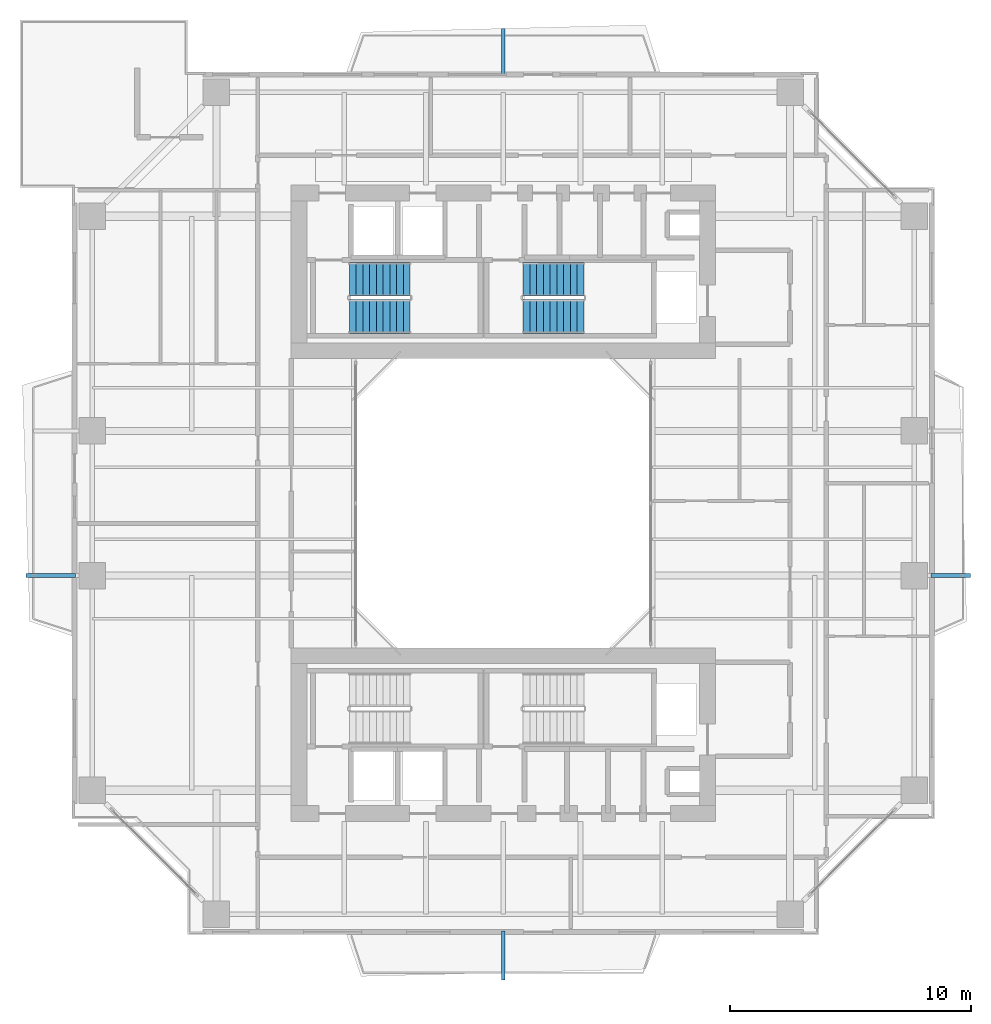
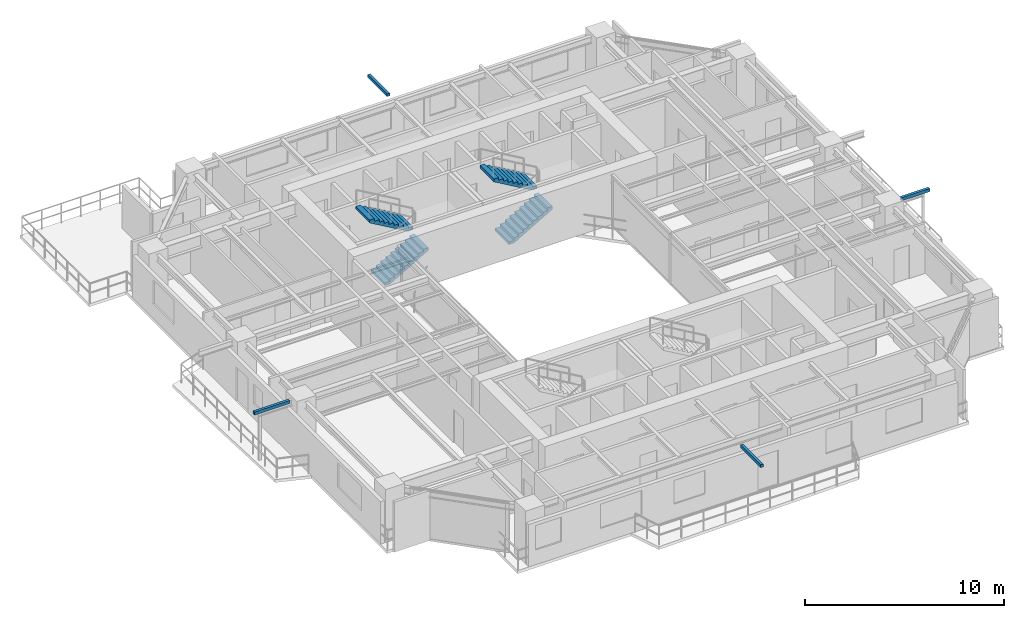
# One storey, part 14 of 17: 4 discrete accessories, 4 stair flights, 2 elements without a shape of their own.
"""IFC4 building model written with IfcOpenShell, lengths in metres."""

from ifc_helpers import new_model, si_unit, direction, frame, origin, origin_2d, place, context, subcontext, project, spatial, polyline, rectangle, outline, extrude, source, transform, mapped, material, type_object, element, aggregate, save


model = new_model("IFC4")

# Units and contexts
model_context = context("Model", 3, precision=1e-05, world=origin(), true_north=direction((0.0, 1.0)))
body_context = subcontext(model_context, "Body", "Model", "MODEL_VIEW")
ifc_project = project(units=[si_unit("LENGTHUNIT", "METRE"), si_unit("AREAUNIT", "SQUARE_METRE"), si_unit("VOLUMEUNIT", "CUBIC_METRE"), si_unit("PLANEANGLEUNIT", "RADIAN"), si_unit("MASSUNIT", "GRAM", prefix="KILO"), si_unit("THERMODYNAMICTEMPERATUREUNIT", "KELVIN"), si_unit("POWERUNIT", "WATT")], contexts=[model_context])

# Site, building, storey
site_placement = place(None, origin())
site = spatial("IfcSite", under=ifc_project, at=site_placement, CompositionType="ELEMENT")
building_placement = place(site_placement, origin())
building = spatial("IfcBuilding", under=site, at=building_placement, Name="Qiaomeng Ring Towers", CompositionType="ELEMENT")
storey_placement = place(building_placement, frame((0.0, 0.0, 132.75)))
storey = spatial("IfcBuildingStorey", under=building, at=storey_placement, Name="L38", CompositionType="ELEMENT", Elevation=132.75)

# Stair, stair flights
ifc_material_1 = material(Name="Precast concrete C40", Category="concrete")
stair_type = type_object("IfcStairType", Name="ARC-ST-325", PredefinedType="HALF_TURN_STAIR", material=ifc_material_1)
stair_1_placement = place(storey_placement, origin())
stair_1 = element("IfcStair", 1, at=stair_1_placement, inside=storey, type_object=stair_type, Name="L38 Tower 1 North Stair 1", PredefinedType="HALF_TURN_STAIR")
stair_flight_type = type_object("IfcStairFlightType", Name="ARC-ST-325-FL", PredefinedType="STRAIGHT", material=ifc_material_1)
shared_shape_1 = source(origin(), body_context, "Body", "SweptSolid", [
    extrude(outline(polyline([(0.0, 0.0), (0.0, 0.16259765625), (0.280029296875, 0.16259765625), (0.280029296875, 0.324951171875), (0.56005859375, 0.324951171875), (0.56005859375, 0.487548828125), (0.840087890625, 0.487548828125), (0.840087890625, 0.64990234375), (1.1201171875, 0.64990234375), (1.1201171875, 0.8125), (1.39990234375, 0.8125), (1.39990234375, 0.97509765625), (1.679931640625, 0.97509765625), (1.679931640625, 1.137451171875), (1.9599609375, 1.137451171875), (1.9599609375, 1.300048828125), (2.239990234375, 1.300048828125), (2.239990234375, 1.46240234375), (2.52001953125, 1.46240234375), (2.52001953125, 1.625), (2.52001953125, 1.2890625), (0.298583984375, 0.0), (0.0, 0.0)])), frame((0.0, 0.699951171875, 0.0), z_axis=(0.0, -1.0, 0.0), x_axis=(1.0, 0.0, 0.0)), (0.0, 0.0, 1.0), 1.39990234375),
])
stair_flight_1_placement = place(storey_placement, frame((12.6201171875, 30.75, 0.0), z_axis=(0.0, 0.0, 1.0), x_axis=(1.0, 0.0, 0.0)))
stair_flight_1 = element("IfcStairFlight", 2, at=stair_flight_1_placement, type_object=stair_flight_type, Name="ST1 flight 1", NumberOfRisers=10, NumberOfTreads=9, PredefinedType="STRAIGHT", RiserHeight=0.1625, TreadLength=0.28, context=body_context, shape_type="MappedRepresentation", body=[
    mapped(shared_shape_1, transform((0.0, 0.0, 0.0), x_axis=(1.0, 0.0, 0.0), y_axis=(0.0, 1.0, 0.0), z_axis=(0.0, 0.0, 1.0), scale=1.0)),
])
stair_flight_2_placement = place(storey_placement, frame((15.139892578125, 32.2900390625, 1.625), z_axis=(0.0, 0.0, 1.0), x_axis=(-1.0, 0.0, 0.0)))
stair_flight_2 = element("IfcStairFlight", 3, at=stair_flight_2_placement, type_object=stair_flight_type, Name="ST1 flight 2", NumberOfRisers=10, NumberOfTreads=9, PredefinedType="STRAIGHT", RiserHeight=0.1625, TreadLength=0.28, context=body_context, shape_type="MappedRepresentation", body=[
    mapped(shared_shape_1, transform((0.0, 0.0, 0.0), x_axis=(1.0, 0.0, 0.0), y_axis=(0.0, 1.0, 0.0), z_axis=(0.0, 0.0, 1.0), scale=1.0)),
])
aggregate(stair_1, [stair_flight_1, stair_flight_2])

stair_2_placement = place(storey_placement, origin())
stair_2 = element("IfcStair", 4, at=stair_2_placement, inside=storey, type_object=stair_type, Name="L38 Tower 1 North Stair 2", PredefinedType="HALF_TURN_STAIR")
stair_flight_3_placement = place(storey_placement, frame((19.820068359375, 30.75, 0.0), z_axis=(0.0, 0.0, 1.0), x_axis=(1.0, 0.0, 0.0)))
stair_flight_3 = element("IfcStairFlight", 5, at=stair_flight_3_placement, type_object=stair_flight_type, Name="ST2 flight 1", NumberOfRisers=10, NumberOfTreads=9, PredefinedType="STRAIGHT", RiserHeight=0.1625, TreadLength=0.28, context=body_context, shape_type="MappedRepresentation", body=[
    mapped(shared_shape_1, transform((0.0, 0.0, 0.0), x_axis=(1.0, 0.0, 0.0), y_axis=(0.0, 1.0, 0.0), z_axis=(0.0, 0.0, 1.0), scale=1.0)),
])
stair_flight_4_placement = place(storey_placement, frame((22.340087890625, 32.2900390625, 1.625), z_axis=(0.0, 0.0, 1.0), x_axis=(-1.0, 0.0, 0.0)))
stair_flight_4 = element("IfcStairFlight", 6, at=stair_flight_4_placement, type_object=stair_flight_type, Name="ST2 flight 2", NumberOfRisers=10, NumberOfTreads=9, PredefinedType="STRAIGHT", RiserHeight=0.1625, TreadLength=0.28, context=body_context, shape_type="MappedRepresentation", body=[
    mapped(shared_shape_1, transform((0.0, 0.0, 0.0), x_axis=(1.0, 0.0, 0.0), y_axis=(0.0, 1.0, 0.0), z_axis=(0.0, 0.0, 1.0), scale=1.0)),
])
aggregate(stair_2, [stair_flight_3, stair_flight_4])

# Discrete accessories
ifc_material_2 = material(Name="Stainless steel 316", Category="steel")
discrete_accessory_type = type_object("IfcDiscreteAccessoryType", Name="ARC-ACC-BRACKET", PredefinedType="BRACKET", material=ifc_material_2)
shared_shape_2 = source(origin(), body_context, "Body", "SweptSolid", [
    extrude(rectangle(XDim=0.159912109375, YDim=2.030029296875, at=origin_2d()), origin(), (0.0, 0.0, 1.0), 0.179931640625),
])
discrete_accessory_1_placement = place(storey_placement, frame((19.0, 4.235107421875, 2.89990234375), z_axis=(0.0, 0.0, 1.0), x_axis=(1.0, 0.0, 0.0)))
element("IfcDiscreteAccessory", 7, at=discrete_accessory_1_placement, inside=storey, type_object=discrete_accessory_type, Name="L38 Stainless Outer-Skin Tie Bracket S", PredefinedType="BRACKET", context=body_context, shape_type="MappedRepresentation", body=[
    mapped(shared_shape_2, transform((0.0, 0.0, 0.0), x_axis=(1.0, 0.0, 0.0), y_axis=(0.0, 1.0, 0.0), z_axis=(0.0, 0.0, 1.0), scale=1.0)),
])
shared_shape_3 = source(origin(), body_context, "Body", "SweptSolid", [
    extrude(rectangle(XDim=1.6298828125, YDim=0.159912109375, at=origin_2d()), origin(), (0.0, 0.0, 1.0), 0.179931640625),
])
discrete_accessory_2_placement = place(storey_placement, frame((37.56494140625, 20.0, 2.89990234375), z_axis=(0.0, 0.0, 1.0), x_axis=(1.0, 0.0, 0.0)))
element("IfcDiscreteAccessory", 8, at=discrete_accessory_2_placement, inside=storey, type_object=discrete_accessory_type, Name="L38 Stainless Outer-Skin Tie Bracket E", PredefinedType="BRACKET", context=body_context, shape_type="MappedRepresentation", body=[
    mapped(shared_shape_3, transform((0.0, 0.0, 0.0), x_axis=(1.0, 0.0, 0.0), y_axis=(0.0, 1.0, 0.0), z_axis=(0.0, 0.0, 1.0), scale=1.0)),
])
shared_shape_4 = source(origin(), body_context, "Body", "SweptSolid", [
    extrude(rectangle(XDim=0.159912109375, YDim=1.949951171875, at=origin_2d()), origin(), (0.0, 0.0, 1.0), 0.179931640625),
])
discrete_accessory_3_placement = place(storey_placement, frame((19.0, 41.72509765625, 2.89990234375), z_axis=(0.0, 0.0, 1.0), x_axis=(1.0, 0.0, 0.0)))
element("IfcDiscreteAccessory", 9, at=discrete_accessory_3_placement, inside=storey, type_object=discrete_accessory_type, Name="L38 Stainless Outer-Skin Tie Bracket N", PredefinedType="BRACKET", context=body_context, shape_type="MappedRepresentation", body=[
    mapped(shared_shape_4, transform((0.0, 0.0, 0.0), x_axis=(1.0, 0.0, 0.0), y_axis=(0.0, 1.0, 0.0), z_axis=(0.0, 0.0, 1.0), scale=1.0)),
])
shared_shape_5 = source(origin(), body_context, "Body", "SweptSolid", [
    extrude(rectangle(XDim=2.050048828125, YDim=0.159912109375, at=origin_2d()), origin(), (0.0, 0.0, 1.0), 0.179931640625),
])
discrete_accessory_4_placement = place(storey_placement, frame((0.22509765625, 20.0, 2.89990234375), z_axis=(0.0, 0.0, 1.0), x_axis=(1.0, 0.0, 0.0)))
element("IfcDiscreteAccessory", 10, at=discrete_accessory_4_placement, inside=storey, type_object=discrete_accessory_type, Name="L38 Stainless Outer-Skin Tie Bracket W", PredefinedType="BRACKET", context=body_context, shape_type="MappedRepresentation", body=[
    mapped(shared_shape_5, transform((0.0, 0.0, 0.0), x_axis=(1.0, 0.0, 0.0), y_axis=(0.0, 1.0, 0.0), z_axis=(0.0, 0.0, 1.0), scale=1.0)),
])

save(model, "model.ifc")
